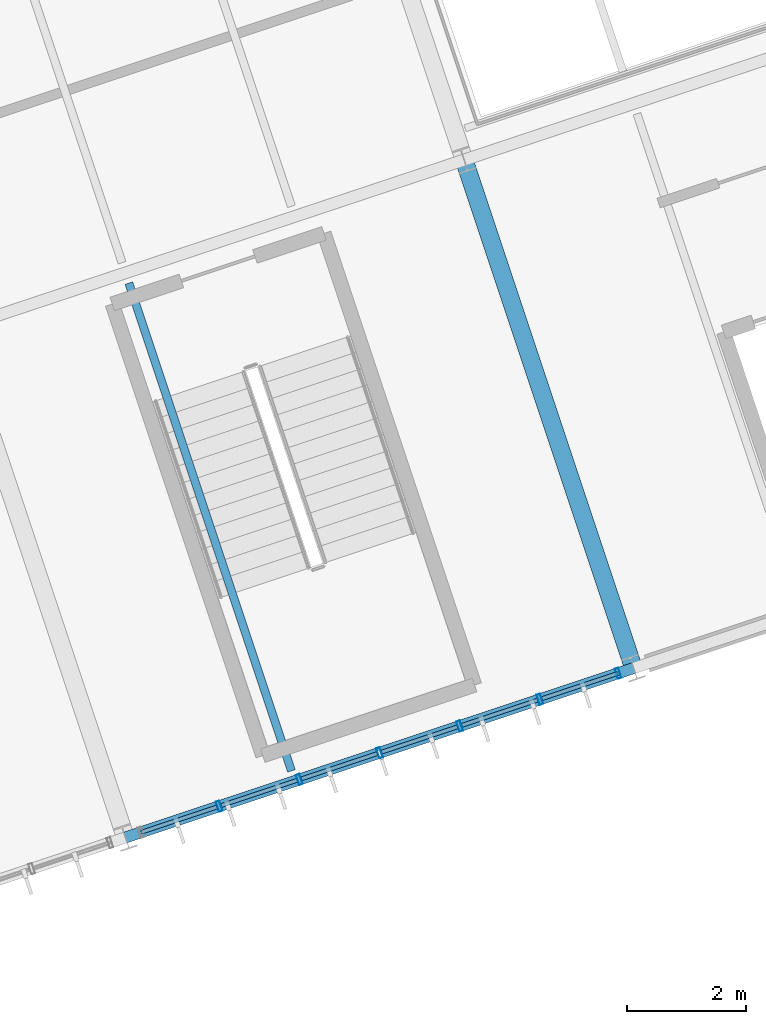
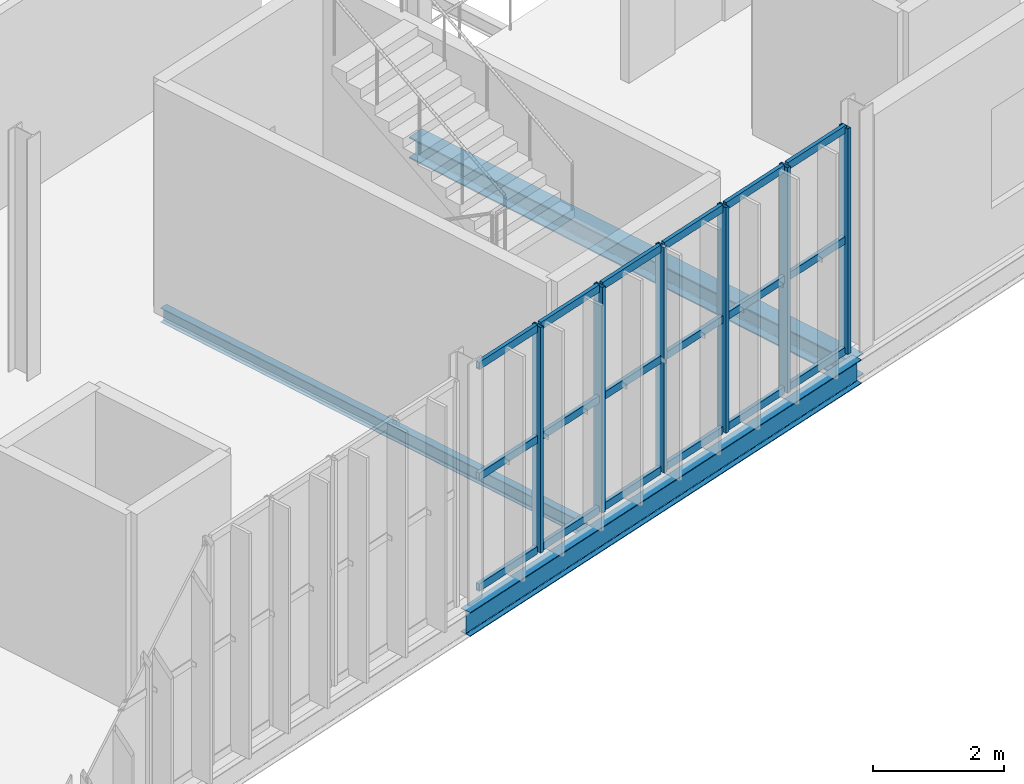
# One storey, part 32 of 152: 24 members, 3 beams, 1 element without a shape of its own.
"""IFC4 building model written with IfcOpenShell, lengths in metres."""

from ifc_helpers import new_model, si_unit, derived_unit, direction, frame, origin, origin_2d, place, context, subcontext, project, spatial, hollow_rectangle, i_section, extrude, material, material_profile, profile_set, type_object, element, aggregate, save


model = new_model("IFC4")

# Units and contexts
model_context = context("Model", 3, precision=1e-05, world=origin(), true_north=direction((0.0, 1.0)))
body_context = subcontext(model_context, "Body", "Model", "MODEL_VIEW")
ifc_project = project(units=[si_unit("LENGTHUNIT", "METRE"), si_unit("AREAUNIT", "SQUARE_METRE"), si_unit("VOLUMEUNIT", "CUBIC_METRE"), si_unit("PLANEANGLEUNIT", "RADIAN"), si_unit("MASSUNIT", "GRAM", prefix="KILO"), si_unit("THERMODYNAMICTEMPERATUREUNIT", "KELVIN"), si_unit("TIMEUNIT", "SECOND"), derived_unit("THERMALTRANSMITTANCEUNIT", [(si_unit("MASSUNIT", "GRAM", prefix="KILO"), 1), (si_unit("THERMODYNAMICTEMPERATUREUNIT", "KELVIN"), -1), (si_unit("TIMEUNIT", "SECOND"), -3)])], contexts=[model_context])

# Site, building, storey
site_placement = place(None, origin())
site = spatial("IfcSite", under=ifc_project, at=site_placement, CompositionType="ELEMENT")
building_placement = place(site_placement, origin())
building = spatial("IfcBuilding", under=site, at=building_placement, Name="Cambertide Market Hall", CompositionType="ELEMENT")
storey_placement = place(building_placement, frame((0.0, 0.0, 5.39990234375)))
storey = spatial("IfcBuildingStorey", under=building, at=storey_placement, Name="L02", CompositionType="ELEMENT", Elevation=5.39990234375)

# Curtain wall, members
ifc_material_1 = material(Name="Marine Anodized Aluminium 6063-T6 AA25", Category="aluminium")
curtain_wall_type = type_object("IfcCurtainWallType", Name="Food Court Upper Glazed Facade", PredefinedType="USERDEFINED", material=ifc_material_1)
curtain_wall_placement = place(storey_placement, origin())
curtain_wall = element("IfcCurtainWall", 1, at=curtain_wall_placement, inside=storey, type_object=curtain_wall_type, Name="Level 2 Curtain Wall CW-V3S-L02-4", ObjectType="UNITIZED CURTAIN WALL", PredefinedType="USERDEFINED")
ifc_material_2 = material(Name="Champagne Marine Anodized Aluminium 6063-T6 AA25", Category="aluminium")
ifc_material_profile_1 = material_profile(ifc_material_2, hollow_rectangle(XDim=0.06494140625, YDim=0.179931640625, WallThickness=0.00390625, at=origin_2d()), Name="ALU MULLION 65x180")
ifc_profile_set_1 = profile_set([ifc_material_profile_1], Name="Champagne Marine Anodized Aluminium 6063-T6 AA25")
member_type_1 = type_object("IfcMemberType", Name="Curtain Wall Mullion ALU MULLION 65x180", PredefinedType="MULLION", material=ifc_profile_set_1)
member_1_placement = place(storey_placement, frame((139.8916015625, 23.297119140625, 0.0), z_axis=(0.0, 0.0, 1.0), x_axis=(-0.948683286311, -0.316227801236, 0.0)))
member_1 = element("IfcMember", 2, at=member_1_placement, type_object=member_type_1, Name="CW-V3S-L02-4 Mullion 1", PredefinedType="MULLION", context=body_context, shape_type="SweptSolid", body=[
    extrude(hollow_rectangle(XDim=0.06494140625, YDim=0.179931640625, WallThickness=0.00390625, at=origin_2d()), origin(), (0.0, 0.0, 1.0), 4.2001953125),
])
member_2_placement = place(storey_placement, frame((138.577880859375, 22.859375, 0.0), z_axis=(0.0, 0.0, 1.0), x_axis=(-0.948683286311, -0.316227801236, 0.0)))
member_2 = element("IfcMember", 3, at=member_2_placement, type_object=member_type_1, Name="CW-V3S-L02-4 Mullion 2", PredefinedType="MULLION", context=body_context, shape_type="SweptSolid", body=[
    extrude(hollow_rectangle(XDim=0.06494140625, YDim=0.179931640625, WallThickness=0.00390625, at=origin_2d()), origin(), (0.0, 0.0, 1.0), 4.2001953125),
])
member_3_placement = place(storey_placement, frame((137.230712890625, 22.41015625, 0.0), z_axis=(0.0, 0.0, 1.0), x_axis=(-0.948683286311, -0.316227801236, 0.0)))
member_3 = element("IfcMember", 4, at=member_3_placement, type_object=member_type_1, Name="CW-V3S-L02-4 Mullion 3", PredefinedType="MULLION", context=body_context, shape_type="SweptSolid", body=[
    extrude(hollow_rectangle(XDim=0.06494140625, YDim=0.179931640625, WallThickness=0.00390625, at=origin_2d()), origin(), (0.0, 0.0, 1.0), 4.2001953125),
])
member_4_placement = place(storey_placement, frame((135.883544921875, 21.961181640625, 0.0), z_axis=(0.0, 0.0, 1.0), x_axis=(-0.948683286311, -0.316227801236, 0.0)))
member_4 = element("IfcMember", 5, at=member_4_placement, type_object=member_type_1, Name="CW-V3S-L02-4 Mullion 4", PredefinedType="MULLION", context=body_context, shape_type="SweptSolid", body=[
    extrude(hollow_rectangle(XDim=0.06494140625, YDim=0.179931640625, WallThickness=0.00390625, at=origin_2d()), origin(), (0.0, 0.0, 1.0), 4.2001953125),
])
member_5_placement = place(storey_placement, frame((134.536376953125, 21.51220703125, 0.0), z_axis=(0.0, 0.0, 1.0), x_axis=(-0.948683286311, -0.316227801236, 0.0)))
member_5 = element("IfcMember", 6, at=member_5_placement, type_object=member_type_1, Name="CW-V3S-L02-4 Mullion 5", PredefinedType="MULLION", context=body_context, shape_type="SweptSolid", body=[
    extrude(hollow_rectangle(XDim=0.06494140625, YDim=0.179931640625, WallThickness=0.00390625, at=origin_2d()), origin(), (0.0, 0.0, 1.0), 4.2001953125),
])
member_6_placement = place(storey_placement, frame((133.189208984375, 21.06298828125, 0.0), z_axis=(0.0, 0.0, 1.0), x_axis=(-0.948683286311, -0.316227801236, 0.0)))
member_6 = element("IfcMember", 7, at=member_6_placement, type_object=member_type_1, Name="CW-V3S-L02-4 Mullion 6", PredefinedType="MULLION", context=body_context, shape_type="SweptSolid", body=[
    extrude(hollow_rectangle(XDim=0.06494140625, YDim=0.179931640625, WallThickness=0.00390625, at=origin_2d()), origin(), (0.0, 0.0, 1.0), 4.2001953125),
])
ifc_material_3 = material(Name="Champagne Marine Anodized Aluminium 6063-T6 AA25", Category="aluminium")
ifc_material_profile_2 = material_profile(ifc_material_3, hollow_rectangle(XDim=0.06494140625, YDim=0.139892578125, WallThickness=0.00341796875, at=origin_2d()), Name="ALU TRANSOM 65x140")
ifc_profile_set_2 = profile_set([ifc_material_profile_2], Name="Champagne Marine Anodized Aluminium 6063-T6 AA25")
member_type_2 = type_object("IfcMemberType", Name="Curtain Wall Transom ALU TRANSOM 65x140", PredefinedType="USERDEFINED", material=ifc_profile_set_2)
member_7_placement = place(storey_placement, frame((139.886962890625, 23.295654296875, 0.03515625), z_axis=(-0.948665077442, -0.316282422593, 0.0), x_axis=(0.316282422593, -0.948665077442, 0.0)))
member_7 = element("IfcMember", 8, at=member_7_placement, type_object=member_type_2, Name="CW-V3S-L02-4 Transom 1-1", ObjectType="TRANSOM", PredefinedType="USERDEFINED", context=body_context, shape_type="SweptSolid", body=[
    extrude(hollow_rectangle(XDim=0.06494140625, YDim=0.139892578125, WallThickness=0.00341796875, at=origin_2d()), origin(), (0.0, 0.0, 1.0), 1.340087890625),
])
member_8_placement = place(storey_placement, frame((138.539794921875, 22.8466796875, 0.03515625), z_axis=(-0.948665077442, -0.316282422593, 0.0), x_axis=(0.316282422593, -0.948665077442, 0.0)))
member_8 = element("IfcMember", 9, at=member_8_placement, type_object=member_type_2, Name="CW-V3S-L02-4 Transom 1-2", ObjectType="TRANSOM", PredefinedType="USERDEFINED", context=body_context, shape_type="SweptSolid", body=[
    extrude(hollow_rectangle(XDim=0.06494140625, YDim=0.139892578125, WallThickness=0.00341796875, at=origin_2d()), origin(), (0.0, 0.0, 1.0), 1.340087890625),
])
member_9_placement = place(storey_placement, frame((137.192626953125, 22.3974609375, 0.03515625), z_axis=(-0.948719731918, -0.316118443418, 0.0), x_axis=(0.316118443418, -0.948719731918, 0.0)))
member_9 = element("IfcMember", 10, at=member_9_placement, type_object=member_type_2, Name="CW-V3S-L02-4 Transom 1-3", ObjectType="TRANSOM", PredefinedType="USERDEFINED", context=body_context, shape_type="SweptSolid", body=[
    extrude(hollow_rectangle(XDim=0.06494140625, YDim=0.139892578125, WallThickness=0.00341796875, at=origin_2d()), origin(), (0.0, 0.0, 1.0), 1.33984375),
])
member_10_placement = place(storey_placement, frame((135.845458984375, 21.948486328125, 0.03515625), z_axis=(-0.948646847384, -0.316337097015, 0.0), x_axis=(0.316337097015, -0.948646847384, 0.0)))
member_10 = element("IfcMember", 11, at=member_10_placement, type_object=member_type_2, Name="CW-V3S-L02-4 Transom 1-4", ObjectType="TRANSOM", PredefinedType="USERDEFINED", context=body_context, shape_type="SweptSolid", body=[
    extrude(hollow_rectangle(XDim=0.06494140625, YDim=0.139892578125, WallThickness=0.00341796875, at=origin_2d()), origin(), (0.0, 0.0, 1.0), 1.33984375),
])
member_11_placement = place(storey_placement, frame((134.49853515625, 21.49951171875, 0.03515625), z_axis=(-0.948665077442, -0.316282422593, 0.0), x_axis=(0.316282422593, -0.948665077442, 0.0)))
member_11 = element("IfcMember", 12, at=member_11_placement, type_object=member_type_2, Name="CW-V3S-L02-4 Transom 1-5", ObjectType="TRANSOM", PredefinedType="USERDEFINED", context=body_context, shape_type="SweptSolid", body=[
    extrude(hollow_rectangle(XDim=0.06494140625, YDim=0.139892578125, WallThickness=0.00341796875, at=origin_2d()), origin(), (0.0, 0.0, 1.0), 1.340087890625),
])
member_12_placement = place(storey_placement, frame((133.1513671875, 21.050537109375, 0.03515625), z_axis=(-0.948665077442, -0.316282422593, 0.0), x_axis=(0.316282422593, -0.948665077442, 0.0)))
member_12 = element("IfcMember", 13, at=member_12_placement, type_object=member_type_2, Name="CW-V3S-L02-4 Transom 1-6", ObjectType="TRANSOM", PredefinedType="USERDEFINED", context=body_context, shape_type="SweptSolid", body=[
    extrude(hollow_rectangle(XDim=0.06494140625, YDim=0.139892578125, WallThickness=0.00341796875, at=origin_2d()), origin(), (0.0, 0.0, 1.0), 1.340087890625),
])
member_13_placement = place(storey_placement, frame((139.886962890625, 23.295654296875, 2.10009765625), z_axis=(-0.948665077442, -0.316282422593, 0.0), x_axis=(0.316282422593, -0.948665077442, 0.0)))
member_13 = element("IfcMember", 14, at=member_13_placement, type_object=member_type_2, Name="CW-V3S-L02-4 Transom 2-1", ObjectType="TRANSOM", PredefinedType="USERDEFINED", context=body_context, shape_type="SweptSolid", body=[
    extrude(hollow_rectangle(XDim=0.06494140625, YDim=0.139892578125, WallThickness=0.00341796875, at=origin_2d()), origin(), (0.0, 0.0, 1.0), 1.340087890625),
])
member_14_placement = place(storey_placement, frame((138.539794921875, 22.8466796875, 2.10009765625), z_axis=(-0.948665077442, -0.316282422593, 0.0), x_axis=(0.316282422593, -0.948665077442, 0.0)))
member_14 = element("IfcMember", 15, at=member_14_placement, type_object=member_type_2, Name="CW-V3S-L02-4 Transom 2-2", ObjectType="TRANSOM", PredefinedType="USERDEFINED", context=body_context, shape_type="SweptSolid", body=[
    extrude(hollow_rectangle(XDim=0.06494140625, YDim=0.139892578125, WallThickness=0.00341796875, at=origin_2d()), origin(), (0.0, 0.0, 1.0), 1.340087890625),
])
member_15_placement = place(storey_placement, frame((137.192626953125, 22.3974609375, 2.10009765625), z_axis=(-0.948719731918, -0.316118443418, 0.0), x_axis=(0.316118443418, -0.948719731918, 0.0)))
member_15 = element("IfcMember", 16, at=member_15_placement, type_object=member_type_2, Name="CW-V3S-L02-4 Transom 2-3", ObjectType="TRANSOM", PredefinedType="USERDEFINED", context=body_context, shape_type="SweptSolid", body=[
    extrude(hollow_rectangle(XDim=0.06494140625, YDim=0.139892578125, WallThickness=0.00341796875, at=origin_2d()), origin(), (0.0, 0.0, 1.0), 1.33984375),
])
member_16_placement = place(storey_placement, frame((135.845458984375, 21.948486328125, 2.10009765625), z_axis=(-0.948646847384, -0.316337097015, 0.0), x_axis=(0.316337097015, -0.948646847384, 0.0)))
member_16 = element("IfcMember", 17, at=member_16_placement, type_object=member_type_2, Name="CW-V3S-L02-4 Transom 2-4", ObjectType="TRANSOM", PredefinedType="USERDEFINED", context=body_context, shape_type="SweptSolid", body=[
    extrude(hollow_rectangle(XDim=0.06494140625, YDim=0.139892578125, WallThickness=0.00341796875, at=origin_2d()), origin(), (0.0, 0.0, 1.0), 1.33984375),
])
member_17_placement = place(storey_placement, frame((134.49853515625, 21.49951171875, 2.10009765625), z_axis=(-0.948665077442, -0.316282422593, 0.0), x_axis=(0.316282422593, -0.948665077442, 0.0)))
member_17 = element("IfcMember", 18, at=member_17_placement, type_object=member_type_2, Name="CW-V3S-L02-4 Transom 2-5", ObjectType="TRANSOM", PredefinedType="USERDEFINED", context=body_context, shape_type="SweptSolid", body=[
    extrude(hollow_rectangle(XDim=0.06494140625, YDim=0.139892578125, WallThickness=0.00341796875, at=origin_2d()), origin(), (0.0, 0.0, 1.0), 1.340087890625),
])
member_18_placement = place(storey_placement, frame((133.1513671875, 21.050537109375, 2.10009765625), z_axis=(-0.948665077442, -0.316282422593, 0.0), x_axis=(0.316282422593, -0.948665077442, 0.0)))
member_18 = element("IfcMember", 19, at=member_18_placement, type_object=member_type_2, Name="CW-V3S-L02-4 Transom 2-6", ObjectType="TRANSOM", PredefinedType="USERDEFINED", context=body_context, shape_type="SweptSolid", body=[
    extrude(hollow_rectangle(XDim=0.06494140625, YDim=0.139892578125, WallThickness=0.00341796875, at=origin_2d()), origin(), (0.0, 0.0, 1.0), 1.340087890625),
])
member_19_placement = place(storey_placement, frame((139.886962890625, 23.295654296875, 4.1650390625), z_axis=(-0.948665077442, -0.316282422593, 0.0), x_axis=(0.316282422593, -0.948665077442, 0.0)))
member_19 = element("IfcMember", 20, at=member_19_placement, type_object=member_type_2, Name="CW-V3S-L02-4 Transom 3-1", ObjectType="TRANSOM", PredefinedType="USERDEFINED", context=body_context, shape_type="SweptSolid", body=[
    extrude(hollow_rectangle(XDim=0.06494140625, YDim=0.139892578125, WallThickness=0.00341796875, at=origin_2d()), origin(), (0.0, 0.0, 1.0), 1.340087890625),
])
member_20_placement = place(storey_placement, frame((138.539794921875, 22.8466796875, 4.1650390625), z_axis=(-0.948665077442, -0.316282422593, 0.0), x_axis=(0.316282422593, -0.948665077442, 0.0)))
member_20 = element("IfcMember", 21, at=member_20_placement, type_object=member_type_2, Name="CW-V3S-L02-4 Transom 3-2", ObjectType="TRANSOM", PredefinedType="USERDEFINED", context=body_context, shape_type="SweptSolid", body=[
    extrude(hollow_rectangle(XDim=0.06494140625, YDim=0.139892578125, WallThickness=0.00341796875, at=origin_2d()), origin(), (0.0, 0.0, 1.0), 1.340087890625),
])
member_21_placement = place(storey_placement, frame((137.192626953125, 22.3974609375, 4.1650390625), z_axis=(-0.948719731918, -0.316118443418, 0.0), x_axis=(0.316118443418, -0.948719731918, 0.0)))
member_21 = element("IfcMember", 22, at=member_21_placement, type_object=member_type_2, Name="CW-V3S-L02-4 Transom 3-3", ObjectType="TRANSOM", PredefinedType="USERDEFINED", context=body_context, shape_type="SweptSolid", body=[
    extrude(hollow_rectangle(XDim=0.06494140625, YDim=0.139892578125, WallThickness=0.00341796875, at=origin_2d()), origin(), (0.0, 0.0, 1.0), 1.33984375),
])
member_22_placement = place(storey_placement, frame((135.845458984375, 21.948486328125, 4.1650390625), z_axis=(-0.948646847384, -0.316337097015, 0.0), x_axis=(0.316337097015, -0.948646847384, 0.0)))
member_22 = element("IfcMember", 23, at=member_22_placement, type_object=member_type_2, Name="CW-V3S-L02-4 Transom 3-4", ObjectType="TRANSOM", PredefinedType="USERDEFINED", context=body_context, shape_type="SweptSolid", body=[
    extrude(hollow_rectangle(XDim=0.06494140625, YDim=0.139892578125, WallThickness=0.00341796875, at=origin_2d()), origin(), (0.0, 0.0, 1.0), 1.33984375),
])
member_23_placement = place(storey_placement, frame((134.49853515625, 21.49951171875, 4.1650390625), z_axis=(-0.948665077442, -0.316282422593, 0.0), x_axis=(0.316282422593, -0.948665077442, 0.0)))
member_23 = element("IfcMember", 24, at=member_23_placement, type_object=member_type_2, Name="CW-V3S-L02-4 Transom 3-5", ObjectType="TRANSOM", PredefinedType="USERDEFINED", context=body_context, shape_type="SweptSolid", body=[
    extrude(hollow_rectangle(XDim=0.06494140625, YDim=0.139892578125, WallThickness=0.00341796875, at=origin_2d()), origin(), (0.0, 0.0, 1.0), 1.340087890625),
])
member_24_placement = place(storey_placement, frame((133.1513671875, 21.050537109375, 4.1650390625), z_axis=(-0.948665077442, -0.316282422593, 0.0), x_axis=(0.316282422593, -0.948665077442, 0.0)))
member_24 = element("IfcMember", 25, at=member_24_placement, type_object=member_type_2, Name="CW-V3S-L02-4 Transom 3-6", ObjectType="TRANSOM", PredefinedType="USERDEFINED", context=body_context, shape_type="SweptSolid", body=[
    extrude(hollow_rectangle(XDim=0.06494140625, YDim=0.139892578125, WallThickness=0.00341796875, at=origin_2d()), origin(), (0.0, 0.0, 1.0), 1.340087890625),
])
aggregate(curtain_wall, [member_1, member_2, member_3, member_4, member_5, member_6, member_7, member_8, member_9, member_10, member_11, member_12, member_13, member_14, member_15, member_16, member_17, member_18, member_19, member_20, member_21, member_22, member_23, member_24])

# Beams
ifc_material_4 = material(Name="Steel S355", Category="steel")
ifc_material_profile_3 = material_profile(ifc_material_4, i_section(OverallWidth=0.18994140625, OverallDepth=0.449951171875, WebThickness=0.009521484375, FlangeThickness=0.0146484375, FilletRadius=0.02099609375, at=origin_2d()), Name="IPE 450")
ifc_profile_set_3 = profile_set([ifc_material_profile_3], Name="Steel S355")
beam_type_1 = type_object("IfcBeamType", Name="Perimeter Spandrel Beam IPE 450", PredefinedType="SPANDREL", material=ifc_profile_set_3)
beam_1_placement = place(storey_placement, frame((131.614501953125, 20.5380859375, -0.474853515625), z_axis=(0.948677872554, 0.31624404204, 0.0), x_axis=(-0.31624404204, 0.948677872554, 0.0)))
element("IfcBeam", 26, at=beam_1_placement, inside=storey, type_object=beam_type_1, Name="Level 2 Spandrel BM-V3U-L02-4-1", PredefinedType="SPANDREL", context=body_context, shape_type="SweptSolid", body=[
    extrude(i_section(OverallWidth=0.18994140625, OverallDepth=0.449951171875, WebThickness=0.009521484375, FlangeThickness=0.0146484375, FilletRadius=0.02099609375, at=origin_2d()), origin(), (0.0, 0.0, 1.0), 9.0),
])
ifc_material_5 = material(Name="Steel S355", Category="steel")
ifc_material_profile_4 = material_profile(ifc_material_5, i_section(OverallWidth=0.300048828125, OverallDepth=0.39990234375, WebThickness=0.013427734375, FlangeThickness=0.02392578125, FilletRadius=0.027099609375, at=origin_2d()), Name="HEB 400")
ifc_profile_set_4 = profile_set([ifc_material_profile_4], Name="Steel S355")
beam_type_2 = type_object("IfcBeamType", Name="Steel Girder HEB 400", PredefinedType="BEAM", material=ifc_profile_set_4)
beam_2_placement = place(storey_placement, frame((140.152587890625, 23.38427734375, -0.449951171875), z_axis=(-0.3162196279, 0.948686010717, 0.0), x_axis=(-0.948686010717, -0.3162196279, 0.0)))
element("IfcBeam", 27, at=beam_2_placement, inside=storey, type_object=beam_type_2, Name="Level 2 Beam BM-V3V-L02-5-1", PredefinedType="BEAM", context=body_context, shape_type="SweptSolid", body=[
    extrude(i_section(OverallWidth=0.300048828125, OverallDepth=0.39990234375, WebThickness=0.013427734375, FlangeThickness=0.02392578125, FilletRadius=0.027099609375, at=origin_2d()), origin(), (0.0, 0.0, 1.0), 9.0),
])
ifc_material_6 = material(Name="Steel S275", Category="steel")
ifc_material_profile_5 = material_profile(ifc_material_6, i_section(OverallWidth=0.135009765625, OverallDepth=0.27001953125, WebThickness=0.006591796875, FlangeThickness=0.01025390625, FilletRadius=0.014892578125, at=origin_2d()), Name="IPE 270")
ifc_profile_set_5 = profile_set([ifc_material_profile_5], Name="Steel S275")
beam_type_3 = type_object("IfcBeamType", Name="Steel Secondary Joist IPE 270", PredefinedType="JOIST", material=ifc_profile_set_5)
beam_3_placement = place(storey_placement, frame((134.403564453125, 21.65771484375, -0.385009765625), z_axis=(-0.316227766017, 0.948683298051, 0.0), x_axis=(-0.948683298051, -0.316227766017, 0.0)))
element("IfcBeam", 28, at=beam_3_placement, inside=storey, type_object=beam_type_3, Name="Level 2 Joist JS-V3-L02-4-1-1", PredefinedType="JOIST", context=body_context, shape_type="SweptSolid", body=[
    extrude(i_section(OverallWidth=0.135009765625, OverallDepth=0.27001953125, WebThickness=0.006591796875, FlangeThickness=0.01025390625, FilletRadius=0.014892578125, at=origin_2d()), origin(), (0.0, 0.0, 1.0), 8.639892578125),
])

save(model, "model.ifc")
